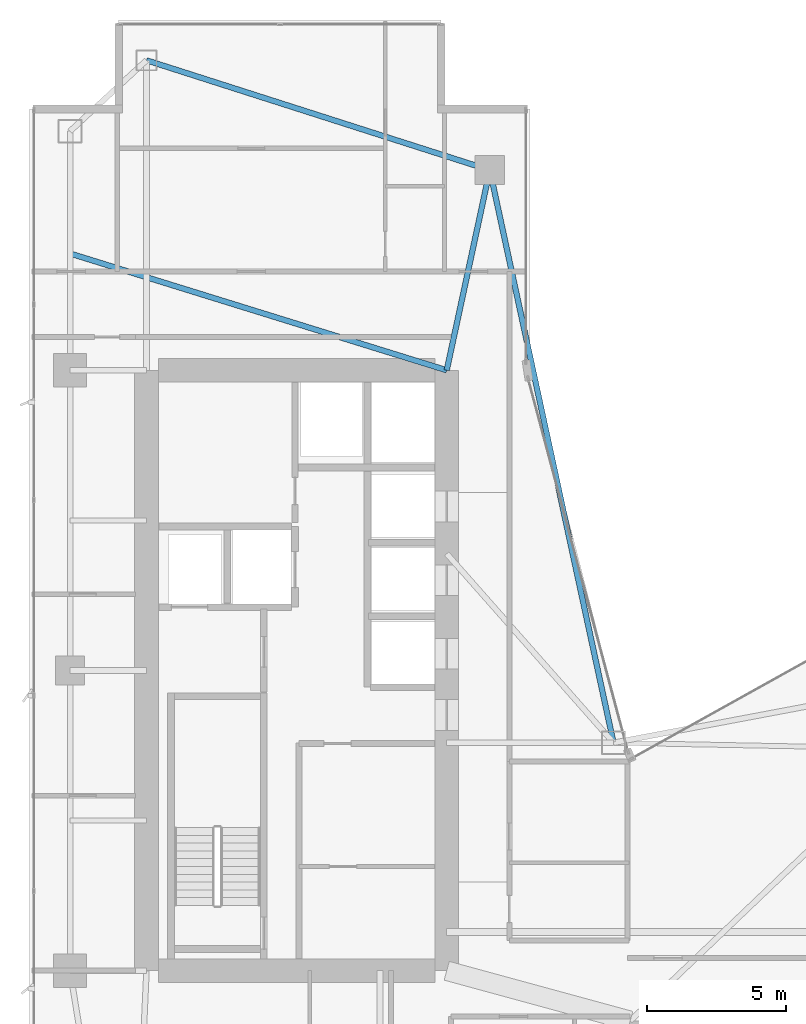
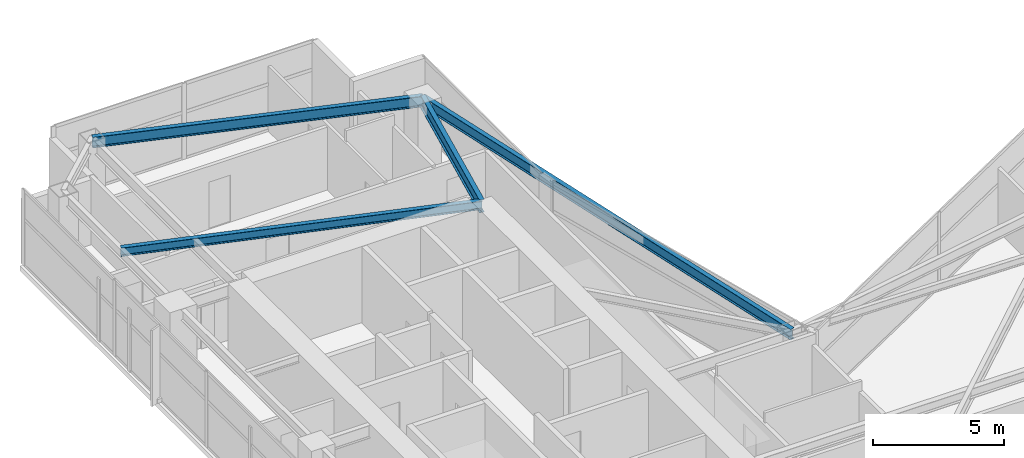
# One storey, part 17 of 29: 4 beams.
"""IFC4 building model written with IfcOpenShell, lengths in metres."""

from ifc_helpers import new_model, si_unit, direction, frame, origin, origin_2d, place, context, subcontext, project, spatial, i_section, extrude, material, material_profile, profile_set, type_object, element, save


model = new_model("IFC4")

# Units and contexts
model_context = context("Model", 3, precision=1e-05, world=origin(), true_north=direction((0.0, 1.0)))
body_context = subcontext(model_context, "Body", "Model", "MODEL_VIEW")
ifc_project = project(units=[si_unit("LENGTHUNIT", "METRE"), si_unit("AREAUNIT", "SQUARE_METRE"), si_unit("VOLUMEUNIT", "CUBIC_METRE"), si_unit("PLANEANGLEUNIT", "RADIAN"), si_unit("MASSUNIT", "GRAM", prefix="KILO")], contexts=[model_context])

# Site, building, storey
site_placement = place(None, origin())
site = spatial("IfcSite", under=ifc_project, at=site_placement, CompositionType="ELEMENT")
building_placement = place(site_placement, origin())
building = spatial("IfcBuilding", under=site, at=building_placement, Name="Calvorn Quay Hotel", CompositionType="ELEMENT")
storey_placement = place(building_placement, frame((0.0, 0.0, 171.300048828125)))
storey = spatial("IfcBuildingStorey", under=building, at=storey_placement, Name="L42", CompositionType="ELEMENT", Elevation=171.300048828125)

# Beams
ifc_material_1 = material(Name="Steel Q355B", Category="steel")
ifc_material_profile_1 = material_profile(ifc_material_1, i_section(OverallWidth=0.199951171875, OverallDepth=0.60009765625, WebThickness=0.010986328125, FlangeThickness=0.01708984375, FilletRadius=0.01806640625, at=origin_2d()), Name="HN600x200x11x17")
ifc_profile_set_1 = profile_set([ifc_material_profile_1], Name="Steel Q355B")
beam_type_1 = type_object("IfcBeamType", Name="BM-GIRD-TYP", PredefinedType="BEAM", material=ifc_profile_set_1)
beam_1_placement = place(storey_placement, frame((16.550048828125, 45.60009765625, 3.239990234375), z_axis=(-0.210457140491, -0.97760308511, 0.0), x_axis=(0.97760308511, -0.210457140491, 0.0)))
element("IfcBeam", 1, at=beam_1_placement, inside=storey, type_object=beam_type_1, Name="Beam BG-L42-W6", PredefinedType="BEAM", context=body_context, shape_type="SweptSolid", body=[
    extrude(i_section(OverallWidth=0.199951171875, OverallDepth=0.60009765625, WebThickness=0.010986328125, FlangeThickness=0.01708984375, FilletRadius=0.01806640625, at=origin_2d()), origin(), (0.0, 0.0, 1.0), 7.365234375),
])
ifc_material_2 = material(Name="Steel Q355B", Category="steel")
ifc_material_profile_2 = material_profile(ifc_material_2, i_section(OverallWidth=0.199951171875, OverallDepth=0.39990234375, WebThickness=0.008056640625, FlangeThickness=0.012939453125, FilletRadius=0.01611328125, at=origin_2d()), Name="HN400x200x8x13")
ifc_profile_set_2 = profile_set([ifc_material_profile_2], Name="Steel Q355B")
beam_type_2 = type_object("IfcBeamType", Name="BM-JOIST-TYP", PredefinedType="JOIST", material=ifc_profile_set_2)
beam_2_placement = place(storey_placement, frame((1.449951171875, 42.60009765625, 3.33984375), z_axis=(0.955163702122, -0.296078202759, 0.0), x_axis=(0.296078202759, 0.955163702122, 0.0)))
element("IfcBeam", 2, at=beam_2_placement, inside=storey, type_object=beam_type_2, Name="Beam BJ-L42-W2", PredefinedType="JOIST", context=body_context, shape_type="SweptSolid", body=[
    extrude(i_section(OverallWidth=0.199951171875, OverallDepth=0.39990234375, WebThickness=0.008056640625, FlangeThickness=0.012939453125, FilletRadius=0.01611328125, at=origin_2d()), origin(), (0.0, 0.0, 1.0), 14.18603515625),
])
ifc_material_3 = material(Name="Steel Q355B", Category="steel")
ifc_material_profile_3 = material_profile(ifc_material_3, i_section(OverallWidth=0.199951171875, OverallDepth=0.5, WebThickness=0.010009765625, FlangeThickness=0.01611328125, FilletRadius=0.01611328125, at=origin_2d()), Name="HN500x200x10x16")
ifc_profile_set_3 = profile_set([ifc_material_profile_3], Name="Steel Q355B")
beam_type_3 = type_object("IfcBeamType", Name="BM-SPANDREL-Z1", PredefinedType="SPANDREL", material=ifc_profile_set_3)
beam_3_placement = place(storey_placement, frame((4.199951171875, 49.550048828125, 3.2900390625), z_axis=(0.952470702374, -0.304630203885, 0.0), x_axis=(0.304630203885, 0.952470702374, 0.0)))
element("IfcBeam", 3, at=beam_3_placement, inside=storey, type_object=beam_type_3, Name="Beam BSP-L42-W6", PredefinedType="SPANDREL", context=body_context, shape_type="SweptSolid", body=[
    extrude(i_section(OverallWidth=0.199951171875, OverallDepth=0.5, WebThickness=0.010009765625, FlangeThickness=0.01611328125, FilletRadius=0.01611328125, at=origin_2d()), origin(), (0.0, 0.0, 1.0), 12.96630859375),
])
beam_4_placement = place(storey_placement, frame((16.550048828125, 45.60009765625, 3.2900390625), z_axis=(0.211145848376, -0.977454567084, 0.0), x_axis=(0.977454567084, 0.211145848376, 0.0)))
element("IfcBeam", 4, at=beam_4_placement, inside=storey, type_object=beam_type_3, Name="Beam BSP-L42-W7", PredefinedType="SPANDREL", context=body_context, shape_type="SweptSolid", body=[
    extrude(i_section(OverallWidth=0.199951171875, OverallDepth=0.5, WebThickness=0.010009765625, FlangeThickness=0.01611328125, FilletRadius=0.01611328125, at=origin_2d()), origin(), (0.0, 0.0, 1.0), 21.0751953125),
])

save(model, "model.ifc")
